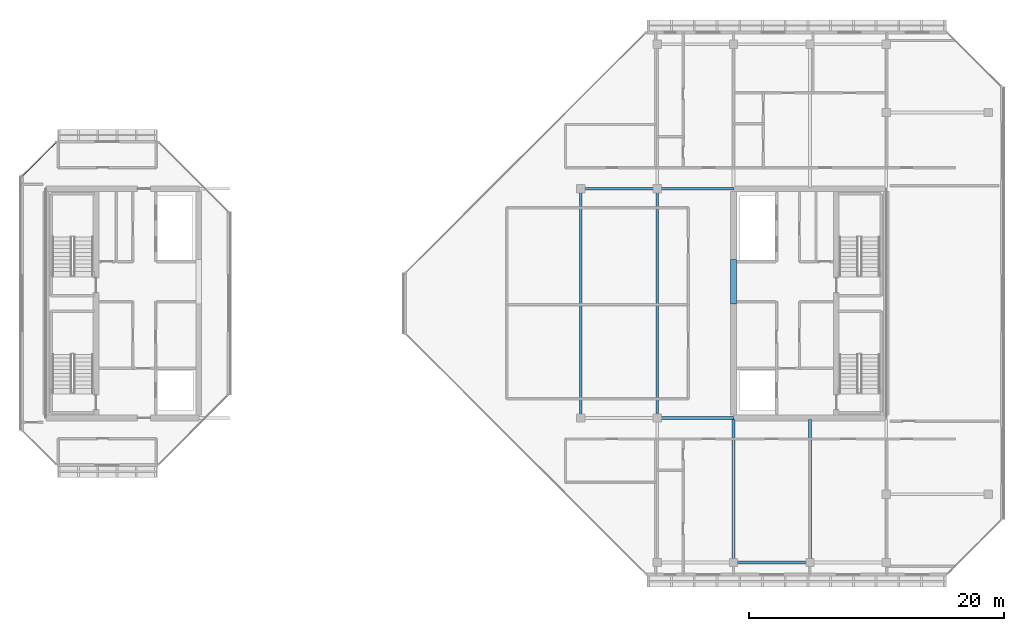
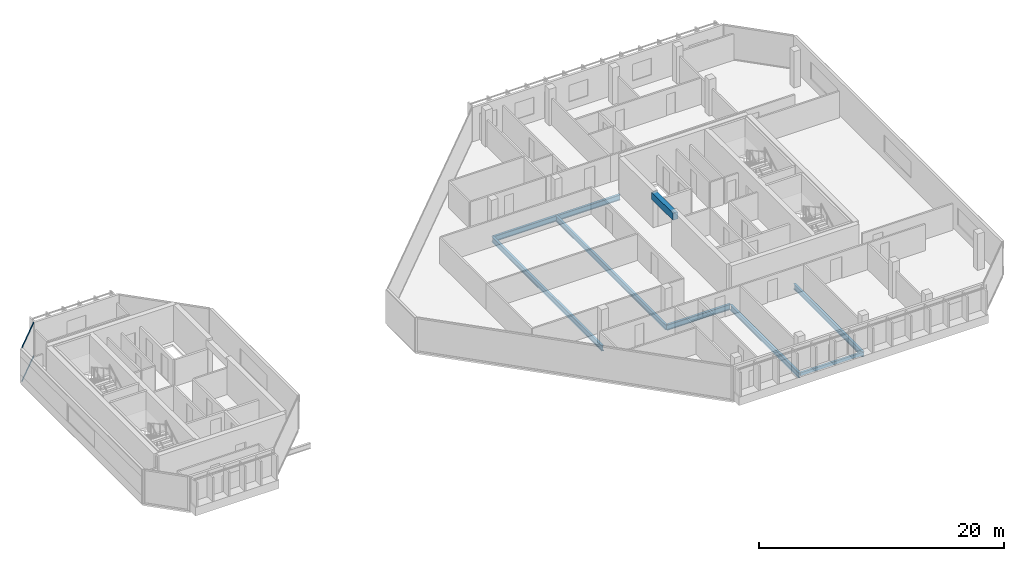
# One storey, part 11 of 28: 9 beams, 2 members, 1 element without a shape of its own.
"""IFC4 building model written with IfcOpenShell, lengths in metres."""

from ifc_helpers import new_model, si_unit, direction, frame, origin, origin_2d, place, context, subcontext, project, spatial, rectangle, hollow_rectangle, i_section, extrude, material, layer, layer_set, material_profile, profile_set, type_object, element, aggregate, save


model = new_model("IFC4")

# Units and contexts
model_context = context("Model", 3, precision=1e-05, world=origin(), true_north=direction((0.0, 1.0)))
body_context = subcontext(model_context, "Body", "Model", "MODEL_VIEW")
ifc_project = project(units=[si_unit("LENGTHUNIT", "METRE"), si_unit("AREAUNIT", "SQUARE_METRE"), si_unit("VOLUMEUNIT", "CUBIC_METRE"), si_unit("PLANEANGLEUNIT", "RADIAN"), si_unit("MASSUNIT", "GRAM", prefix="KILO")], contexts=[model_context])

# Site, building, storey
site_placement = place(None, origin())
site = spatial("IfcSite", under=ifc_project, at=site_placement, CompositionType="ELEMENT")
building_placement = place(site_placement, origin())
building = spatial("IfcBuilding", under=site, at=building_placement, Name="Tanjung Sevakor Pilgrim Tower", CompositionType="ELEMENT")
storey_placement = place(building_placement, frame((0.0, 0.0, 242.550048828125)))
storey = spatial("IfcBuildingStorey", under=building, at=storey_placement, Name="L68", CompositionType="ELEMENT", Elevation=242.550048828125)

# Beams
ifc_material_1 = material(Name="Steel S355J2", Category="steel")
ifc_material_profile_1 = material_profile(ifc_material_1, i_section(OverallWidth=0.2119140625, OverallDepth=0.54443359375, WebThickness=0.0126953125, FlangeThickness=0.021240234375, FilletRadius=0.0126953125, at=origin_2d()))
ifc_profile_set_1 = profile_set([ifc_material_profile_1], Name="Steel S355J2")
beam_type_1 = type_object("IfcBeamType", Name="BM-B-G5-UB_533x210x122", PredefinedType="BEAM", material=ifc_profile_set_1)
for number, where, z_axis, x_axis, name in (
    (1, (72.0, 24.60009765625, -0.492431640625), (1.0, 0.0, 0.0), (0.0, 1.0, 0.0), "L68 Primary Floor Girder EAST Y246-02"),
    (2, (66.0, 42.60009765625, -0.492431640625), (1.0, 0.0, 0.0), (0.0, 1.0, 0.0), "L68 Primary Floor Girder EAST Y426-01"),
    (3, (72.0, 42.60009765625, -0.492431640625), (1.0, 0.0, 0.0), (0.0, 1.0, 0.0), "L68 Primary Floor Girder EAST Y426-02"),
):
    element("IfcBeam", number, at=place(storey_placement, frame(where, z_axis=z_axis, x_axis=x_axis)), inside=storey, type_object=beam_type_1, Name=name, PredefinedType="BEAM", context=body_context, shape_type="SweptSolid", body=[
        extrude(i_section(OverallWidth=0.2119140625, OverallDepth=0.54443359375, WebThickness=0.0126953125, FlangeThickness=0.021240234375, FilletRadius=0.0126953125, at=origin_2d()), origin(), (0.0, 0.0, 1.0), 6.0),
    ])
ifc_material_2 = material(Name="Steel S355J2", Category="steel")
ifc_material_profile_2 = material_profile(ifc_material_2, i_section(OverallWidth=0.210693359375, OverallDepth=0.53955078125, WebThickness=0.01171875, FlangeThickness=0.018798828125, FilletRadius=0.0126953125, at=origin_2d()))
ifc_profile_set_2 = profile_set([ifc_material_profile_2], Name="Steel S355J2")
beam_type_2 = type_object("IfcBeamType", Name="BM-B-G6-UB_533x210x109", PredefinedType="BEAM", material=ifc_profile_set_2)
for number, where, z_axis, x_axis, name in (
    (4, (66.0, 24.60009765625, -0.48974609375), (0.0, 1.0, 0.0), (-1.0, 0.0, 0.0), "L68 EAST Girder 001"),
    (5, (72.0, 24.60009765625, -0.48974609375), (0.0, 1.0, 0.0), (-1.0, 0.0, 0.0), "L68 EAST Girder 003"),
):
    element("IfcBeam", number, at=place(storey_placement, frame(where, z_axis=z_axis, x_axis=x_axis)), inside=storey, type_object=beam_type_2, Name=name, PredefinedType="BEAM", context=body_context, shape_type="SweptSolid", body=[
        extrude(i_section(OverallWidth=0.210693359375, OverallDepth=0.53955078125, WebThickness=0.01171875, FlangeThickness=0.018798828125, FilletRadius=0.0126953125, at=origin_2d()), origin(), (0.0, 0.0, 1.0), 18.0),
    ])
for number, where, z_axis, x_axis, name in (
    (6, (78.0, 13.25, -0.48974609375), (0.0, 1.0, 0.0), (-1.0, 0.0, 0.0), "L68 EAST Girder 005"),
    (7, (84.0, 13.25, -0.48974609375), (0.0, 1.0, 0.0), (-1.0, 0.0, 0.0), "L68 EAST Girder 007"),
):
    element("IfcBeam", number, at=place(storey_placement, frame(where, z_axis=z_axis, x_axis=x_axis)), inside=storey, type_object=beam_type_2, Name=name, PredefinedType="BEAM", context=body_context, shape_type="SweptSolid", body=[
        extrude(i_section(OverallWidth=0.210693359375, OverallDepth=0.53955078125, WebThickness=0.01171875, FlangeThickness=0.018798828125, FilletRadius=0.0126953125, at=origin_2d()), origin(), (0.0, 0.0, 1.0), 11.243896484375),
    ])
ifc_material_3 = material(Name="Concrete C60/75", Category="concrete")
ifc_material_profile_3 = material_profile(ifc_material_3, rectangle(XDim=0.449951171875, YDim=0.699951171875, at=origin_2d()))
ifc_profile_set_3 = profile_set([ifc_material_profile_3], Name="Concrete C60/75")
beam_type_3 = type_object("IfcBeamType", Name="BM-B-LN3-RC-BM_450x700", PredefinedType="LINTEL", material=ifc_profile_set_3)
beam_1_placement = place(storey_placement, frame((78.0, 33.550048828125, 3.06005859375), z_axis=(0.0, 1.0, 0.0), x_axis=(-1.0, 0.0, 0.0)))
element("IfcBeam", 8, at=beam_1_placement, inside=storey, type_object=beam_type_3, Name="L68 E Core Coupling Lintel", PredefinedType="LINTEL", context=body_context, shape_type="SweptSolid", body=[
    extrude(rectangle(XDim=0.449951171875, YDim=0.699951171875, at=origin_2d()), origin(), (0.0, 0.0, 1.0), 3.5),
])
ifc_material_4 = material(Name="Steel S355J2", Category="steel")
ifc_material_profile_4 = material_profile(ifc_material_4, hollow_rectangle(XDim=0.199951171875, YDim=0.300048828125, WallThickness=0.012451171875, at=origin_2d()))
ifc_profile_set_4 = profile_set([ifc_material_profile_4], Name="Steel S355J2")
beam_type_4 = type_object("IfcBeamType", Name="BM-B-SP3-RHS_300x200x12.5", PredefinedType="SPANDREL", material=ifc_profile_set_4)
beam_2_placement = place(storey_placement, frame((78.0, 13.25, -0.3701171875), z_axis=(1.0, 0.0, 0.0), x_axis=(0.0, 1.0, 0.0)))
element("IfcBeam", 9, at=beam_2_placement, inside=storey, type_object=beam_type_4, Name="L68 Spandrel EAST S-03", PredefinedType="SPANDREL", context=body_context, shape_type="SweptSolid", body=[
    extrude(hollow_rectangle(XDim=0.199951171875, YDim=0.300048828125, WallThickness=0.012451171875, at=origin_2d()), origin(), (0.0, 0.0, 1.0), 6.0),
])

# Curtain wall, members
ifc_material_5 = material(Name="Aluminium 6063-T6 and Low-E Glass", Category="aluminium")
ifc_layer = layer(ifc_material_5, 0.179931640625)
ifc_layer_set = layer_set([ifc_layer], Name="CW-SYS-CHAM")
curtain_wall_type = type_object("IfcCurtainWallType", Name="CW-SYS-CHAM", PredefinedType="NOTDEFINED", material=ifc_layer_set)
curtain_wall_placement = place(storey_placement, origin())
curtain_wall = element("IfcCurtainWall", 10, at=curtain_wall_placement, inside=storey, type_object=curtain_wall_type, Name="L68 Curtain Wall CW-CHM-L68-WEST-5", PredefinedType="NOTDEFINED")
ifc_material_6 = material(Name="Aluminium 6063-T6", Category="aluminium")
ifc_material_profile_5 = material_profile(ifc_material_6, hollow_rectangle(XDim=0.06494140625, YDim=0.139892578125, WallThickness=0.00390625, at=origin_2d()))
ifc_profile_set_5 = profile_set([ifc_material_profile_5], Name="Aluminium 6063-T6")
member_type = type_object("IfcMemberType", Name="TYPE-CWT-1", PredefinedType="USERDEFINED", material=ifc_profile_set_5)
member_1_placement = place(storey_placement, frame((24.799560546875, 46.244140625, 0.032470703125), z_axis=(-0.707074130168, -0.707139430697, 0.0), x_axis=(0.707139430697, -0.707074130168, 0.0)))
member_1 = element("IfcMember", 11, at=member_1_placement, type_object=member_type, Name="CW-CHM transom 1.1", ObjectType="TRANSOM", PredefinedType="USERDEFINED", context=body_context, shape_type="SweptSolid", body=[
    extrude(hollow_rectangle(XDim=0.06494140625, YDim=0.139892578125, WallThickness=0.00390625, at=origin_2d()), origin(), (0.0, 0.0, 1.0), 3.73876953125),
])
member_2_placement = place(storey_placement, frame((24.799560546875, 46.244140625, 3.37744140625), z_axis=(-0.707074130168, -0.707139430697, 0.0), x_axis=(0.707139430697, -0.707074130168, 0.0)))
member_2 = element("IfcMember", 12, at=member_2_placement, type_object=member_type, Name="CW-CHM transom 1.2", ObjectType="TRANSOM", PredefinedType="USERDEFINED", context=body_context, shape_type="SweptSolid", body=[
    extrude(hollow_rectangle(XDim=0.06494140625, YDim=0.139892578125, WallThickness=0.00390625, at=origin_2d()), origin(), (0.0, 0.0, 1.0), 3.73876953125),
])
aggregate(curtain_wall, [member_1, member_2])

save(model, "model.ifc")
